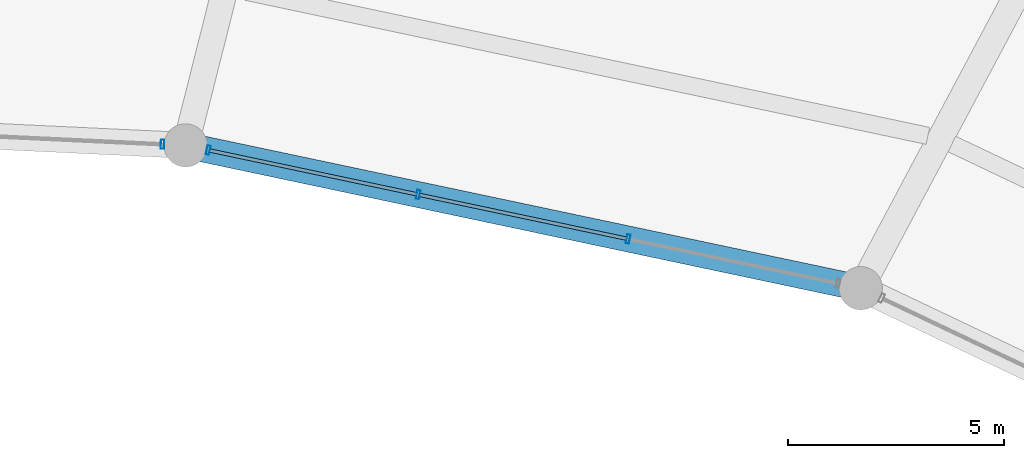
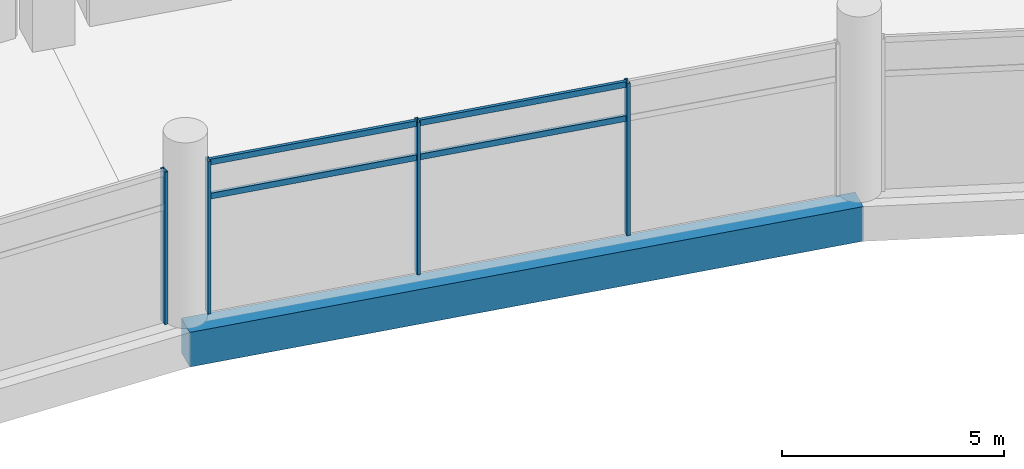
# One storey, part 112 of 184: 8 members, 1 beam, 2 elements without a shape of their own.
"""IFC4 building model written with IfcOpenShell, lengths in metres."""

from ifc_helpers import new_model, si_unit, direction, frame, origin, origin_2d, place, context, subcontext, project, spatial, rectangle, hollow_rectangle, extrude, material, layer, layer_set, material_profile, profile_set, type_object, element, aggregate, save


model = new_model("IFC4")

# Units and contexts
model_context = context("Model", 3, precision=1e-05, world=origin(), true_north=direction((0.0, 1.0)))
body_context = subcontext(model_context, "Body", "Model", "MODEL_VIEW")
ifc_project = project(units=[si_unit("LENGTHUNIT", "METRE"), si_unit("AREAUNIT", "SQUARE_METRE"), si_unit("VOLUMEUNIT", "CUBIC_METRE"), si_unit("PLANEANGLEUNIT", "RADIAN"), si_unit("MASSUNIT", "GRAM", prefix="KILO")], contexts=[model_context])

# Site, building, storey
site_placement = place(None, origin())
site = spatial("IfcSite", under=ifc_project, at=site_placement, CompositionType="ELEMENT")
building_placement = place(site_placement, origin())
building = spatial("IfcBuilding", under=site, at=building_placement, Name="Kazemori Nagisa Stadium", CompositionType="ELEMENT")
storey_placement = place(building_placement, frame((0.0, 0.0, 10.5400390625)))
storey = spatial("IfcBuildingStorey", under=building, at=storey_placement, Name="L02", CompositionType="ELEMENT", Elevation=10.5400390625)

# Beam
ifc_material_1 = material(Name="Concrete C40/50 (Fc42)", Category="concrete")
ifc_material_profile_1 = material_profile(ifc_material_1, rectangle(XDim=0.60009765625, YDim=0.949951171875, at=origin_2d()), Name="RC-BM-600x950")
ifc_profile_set_1 = profile_set([ifc_material_profile_1], Name="Concrete C40/50 (Fc42)")
beam_type = type_object("IfcBeamType", Name="Beam_BG-RC600X950", PredefinedType="BEAM", material=ifc_profile_set_1)
beam_placement = place(storey_placement, frame((154.24755859375, 160.739013671875, -0.735107421875), z_axis=(-0.978348272746, 0.206965352692, 0.0), x_axis=(-0.206965352692, -0.978348272746, 0.0)))
element("IfcBeam", 1, at=beam_placement, inside=storey, type_object=beam_type, Name="Ring girder BG-RC600X950 L02 R1-06", PredefinedType="BEAM", context=body_context, shape_type="SweptSolid", body=[
    extrude(rectangle(XDim=0.60009765625, YDim=0.949951171875, at=origin_2d()), origin(), (0.0, 0.0, 1.0), 15.950927734375),
])

# Curtain wall, members
ifc_material_2 = material(Name="Anodised aluminium 6063-T5", Category="aluminium")
ifc_layer_1 = layer(ifc_material_2, 0.2099609375, Name="Anodised aluminium 6063-T5", Category="aluminium")
ifc_layer_set_1 = layer_set([ifc_layer_1], Name="Anodised aluminium 6063-T5")
curtain_wall_type_1 = type_object("IfcCurtainWallType", Name="CW_L02B_75", PredefinedType="USERDEFINED", material=ifc_layer_set_1)
curtain_wall_1_placement = place(storey_placement, origin())
curtain_wall_1 = element("IfcCurtainWall", 2, at=curtain_wall_1_placement, inside=storey, type_object=curtain_wall_type_1, Name="Unitised curtain wall CW-L02B-75 L02", ObjectType="UNITISED CURTAIN WALL", PredefinedType="USERDEFINED")
ifc_material_3 = material(Name="Aluminium 6063-T5 anodised", Category="aluminium")
ifc_material_profile_2 = material_profile(ifc_material_3, hollow_rectangle(XDim=0.080078125, YDim=0.2099609375, WallThickness=0.0048828125, at=origin_2d()), Name="ALU-MULL-80x210x5")
ifc_profile_set_2 = profile_set([ifc_material_profile_2], Name="Aluminium 6063-T5 anodised")
member_type_1 = type_object("IfcMemberType", Name="Mullion_M02", PredefinedType="MULLION", material=ifc_profile_set_2)
member_1_placement = place(storey_placement, frame((148.871337890625, 161.876220703125, 0.0), z_axis=(0.0, 0.0, 1.0), x_axis=(-0.978344955407, 0.206981033502, 0.0)))
member_1 = element("IfcMember", 3, at=member_1_placement, type_object=member_type_1, Name="Curtain wall mullion CW-L02B-75-M2", PredefinedType="MULLION", context=body_context, shape_type="SweptSolid", body=[
    extrude(hollow_rectangle(XDim=0.080078125, YDim=0.2099609375, WallThickness=0.0048828125, at=origin_2d()), origin(), (0.0, 0.0, 1.0), 4.18994140625),
])
member_2_placement = place(storey_placement, frame((144.018310546875, 162.903076171875, 0.0), z_axis=(0.0, 0.0, 1.0), x_axis=(-0.978344955407, 0.206981033502, 0.0)))
member_2 = element("IfcMember", 4, at=member_2_placement, type_object=member_type_1, Name="Curtain wall mullion CW-L02B-75-M3", PredefinedType="MULLION", context=body_context, shape_type="SweptSolid", body=[
    extrude(hollow_rectangle(XDim=0.080078125, YDim=0.2099609375, WallThickness=0.0048828125, at=origin_2d()), origin(), (0.0, 0.0, 1.0), 4.18994140625),
])
member_3_placement = place(storey_placement, frame((139.16552734375, 163.9296875, 0.0), z_axis=(0.0, 0.0, 1.0), x_axis=(-0.978344955407, 0.206981033502, 0.0)))
member_3 = element("IfcMember", 5, at=member_3_placement, type_object=member_type_1, Name="Curtain wall mullion CW-L02B-75-M4", PredefinedType="MULLION", context=body_context, shape_type="SweptSolid", body=[
    extrude(hollow_rectangle(XDim=0.080078125, YDim=0.2099609375, WallThickness=0.0048828125, at=origin_2d()), origin(), (0.0, 0.0, 1.0), 4.18994140625),
])

# Curtain wall, member
ifc_layer_2 = layer(ifc_material_2, 0.2099609375, Name="Anodised aluminium 6063-T5", Category="aluminium")
ifc_layer_set_2 = layer_set([ifc_layer_2], Name="Anodised aluminium 6063-T5")
curtain_wall_type_2 = type_object("IfcCurtainWallType", Name="CW_L02B_73", PredefinedType="USERDEFINED", material=ifc_layer_set_2)
curtain_wall_2_placement = place(storey_placement, origin())
curtain_wall_2 = element("IfcCurtainWall", 6, at=curtain_wall_2_placement, inside=storey, type_object=curtain_wall_type_2, Name="Unitised curtain wall CW-L02B-73 L02", ObjectType="UNITISED CURTAIN WALL", PredefinedType="USERDEFINED")
member_4_placement = place(storey_placement, frame((138.10791015625, 164.065673828125, 0.0), z_axis=(0.0, 0.0, 1.0), x_axis=(-0.998884022476, 0.047230388971, 0.0)))
member_4 = element("IfcMember", 7, at=member_4_placement, type_object=member_type_1, Name="Curtain wall mullion CW-L02B-73-M1", PredefinedType="MULLION", context=body_context, shape_type="SweptSolid", body=[
    extrude(hollow_rectangle(XDim=0.080078125, YDim=0.2099609375, WallThickness=0.0048828125, at=origin_2d()), origin(), (0.0, 0.0, 1.0), 4.18994140625),
])
aggregate(curtain_wall_2, [member_4])

# Member
ifc_material_profile_3 = material_profile(ifc_material_3, hollow_rectangle(XDim=0.080078125, YDim=0.159912109375, WallThickness=0.00390625, at=origin_2d()), Name="ALU-TRAN-80x160x4")
ifc_profile_set_3 = profile_set([ifc_material_profile_3], Name="Aluminium 6063-T5 anodised")
member_type_2 = type_object("IfcMemberType", Name="Transom_T02", PredefinedType="USERDEFINED", material=ifc_profile_set_3)
member_5_placement = place(storey_placement, frame((148.8515625, 161.88037109375, 3.184326171875), z_axis=(-0.978336562441, 0.207020700878, 0.0), x_axis=(-0.207020700878, -0.978336562441, 0.0)))
member_5 = element("IfcMember", 8, at=member_5_placement, type_object=member_type_2, Name="Curtain wall transom CW-L02B-75-T2-mid", ObjectType="TRANSOM", PredefinedType="USERDEFINED", context=body_context, shape_type="SweptSolid", body=[
    extrude(hollow_rectangle(XDim=0.080078125, YDim=0.159912109375, WallThickness=0.00390625, at=origin_2d()), origin(), (0.0, 0.0, 1.0), 4.920166015625),
])

member_6_placement = place(storey_placement, frame((148.8515625, 161.88037109375, 4.119873046875), z_axis=(-0.978336562441, 0.207020700878, 0.0), x_axis=(-0.207020700878, -0.978336562441, 0.0)))
member_6 = element("IfcMember", 9, at=member_6_placement, type_object=member_type_2, Name="Curtain wall transom CW-L02B-75-T2-head", ObjectType="TRANSOM", PredefinedType="USERDEFINED", context=body_context, shape_type="SweptSolid", body=[
    extrude(hollow_rectangle(XDim=0.080078125, YDim=0.159912109375, WallThickness=0.00390625, at=origin_2d()), origin(), (0.0, 0.0, 1.0), 4.920166015625),
])

member_7_placement = place(storey_placement, frame((143.998779296875, 162.9072265625, 3.184326171875), z_axis=(-0.978346611518, 0.206973205348, 0.0), x_axis=(-0.206973205348, -0.978346611518, 0.0)))
member_7 = element("IfcMember", 10, at=member_7_placement, type_object=member_type_2, Name="Curtain wall transom CW-L02B-75-T3-mid", ObjectType="TRANSOM", PredefinedType="USERDEFINED", context=body_context, shape_type="SweptSolid", body=[
    extrude(hollow_rectangle(XDim=0.080078125, YDim=0.159912109375, WallThickness=0.00390625, at=origin_2d()), origin(), (0.0, 0.0, 1.0), 4.919921875),
])

member_8_placement = place(storey_placement, frame((143.998779296875, 162.9072265625, 4.119873046875), z_axis=(-0.978346611518, 0.206973205348, 0.0), x_axis=(-0.206973205348, -0.978346611518, 0.0)))
member_8 = element("IfcMember", 11, at=member_8_placement, type_object=member_type_2, Name="Curtain wall transom CW-L02B-75-T3-head", ObjectType="TRANSOM", PredefinedType="USERDEFINED", context=body_context, shape_type="SweptSolid", body=[
    extrude(hollow_rectangle(XDim=0.080078125, YDim=0.159912109375, WallThickness=0.00390625, at=origin_2d()), origin(), (0.0, 0.0, 1.0), 4.919921875),
])

aggregate(curtain_wall_1, [member_1, member_2, member_3, member_5, member_6, member_7, member_8])

save(model, "model.ifc")
